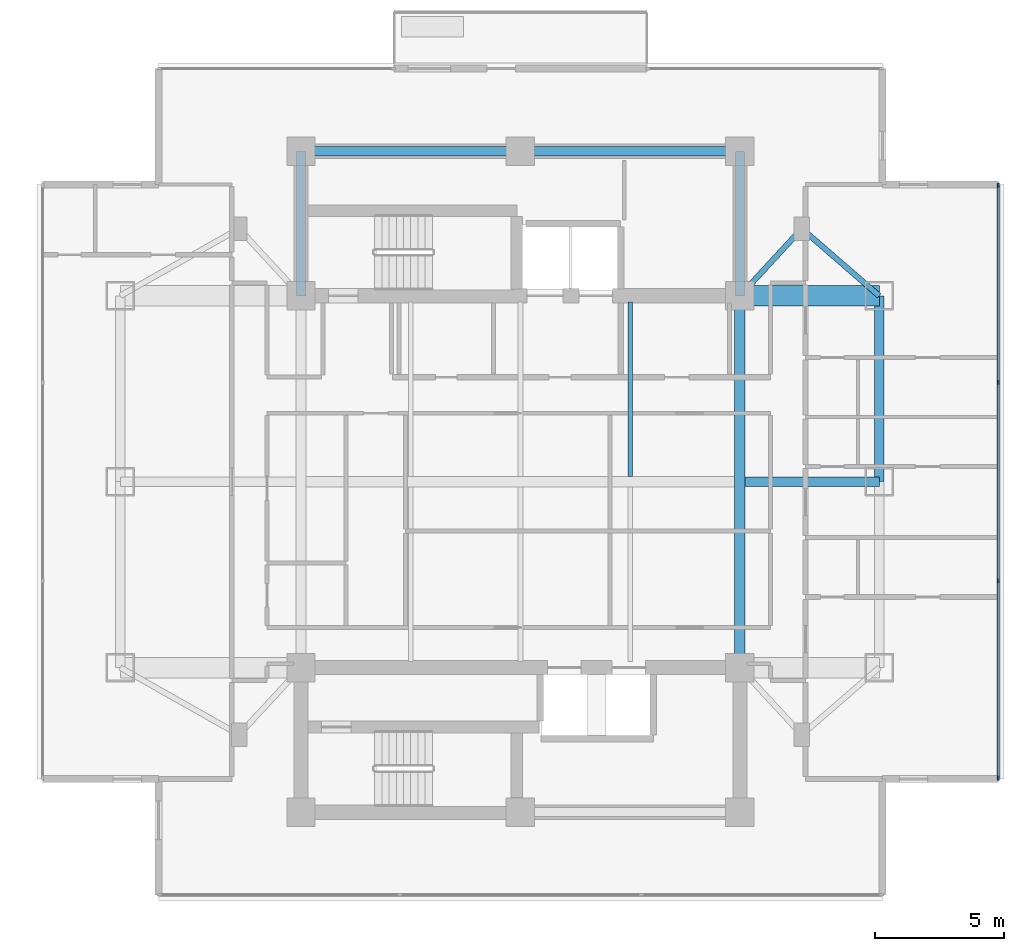
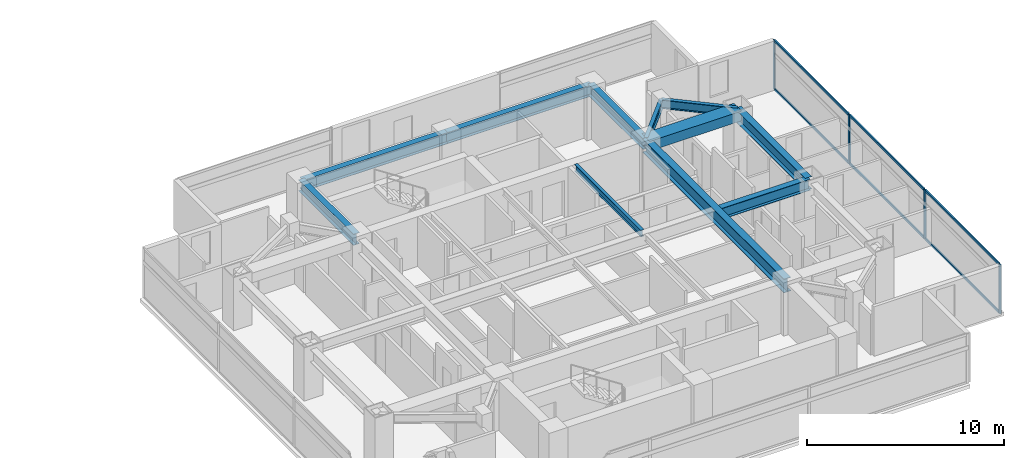
# One storey, part 10 of 24: 11 beams, 10 members, 1 element without a shape of its own.
"""IFC4 building model written with IfcOpenShell, lengths in metres."""

from ifc_helpers import new_model, si_unit, direction, frame, origin, origin_2d, place, context, subcontext, project, spatial, rectangle, i_section, extrude, material, material_profile, profile_set, type_object, element, aggregate, save


model = new_model("IFC4")

# Units and contexts
model_context = context("Model", 3, precision=1e-05, world=origin(), true_north=direction((0.0, 1.0)))
body_context = subcontext(model_context, "Body", "Model", "MODEL_VIEW")
ifc_project = project(units=[si_unit("LENGTHUNIT", "METRE"), si_unit("AREAUNIT", "SQUARE_METRE"), si_unit("VOLUMEUNIT", "CUBIC_METRE"), si_unit("PLANEANGLEUNIT", "RADIAN"), si_unit("MASSUNIT", "GRAM", prefix="KILO")], contexts=[model_context])

# Site, building, storey
site_placement = place(None, origin())
site = spatial("IfcSite", under=ifc_project, at=site_placement, CompositionType="ELEMENT")
building_placement = place(site_placement, origin())
building = spatial("IfcBuilding", under=site, at=building_placement, Name="Mirazonda Arch Towers", CompositionType="ELEMENT")
storey_placement = place(building_placement, frame((0.0, 0.0, 141.199951171875)))
storey = spatial("IfcBuildingStorey", under=building, at=storey_placement, Name="L40", CompositionType="ELEMENT", Elevation=141.199951171875)

# Beams
ifc_material_1 = material(Name="Steel ASTM A992 Grade 50", Category="steel")
ifc_material_profile_1 = material_profile(ifc_material_1, i_section(OverallWidth=0.381103515625, OverallDepth=0.77294921875, WebThickness=0.0166015625, FlangeThickness=0.027099609375, at=origin_2d()), Name="W30X173")
ifc_profile_set_1 = profile_set([ifc_material_profile_1], Name="Steel ASTM A992 Grade 50")
beam_type_1 = type_object("IfcBeamType", Name="BM-EXT-W30X173", PredefinedType="USERDEFINED", material=ifc_profile_set_1)
beam_1_placement = place(storey_placement, frame((90.39990234375, 28.0, 2.693603515625), z_axis=(0.0, 1.0, 0.0), x_axis=(-1.0, 0.0, 0.0)))
element("IfcBeam", 1, at=beam_1_placement, inside=storey, type_object=beam_type_1, Name="L40 Floor Beam BM-T2-L40-NS-E-28", ObjectType="GIRDER", PredefinedType="USERDEFINED", context=body_context, shape_type="SweptSolid", body=[
    extrude(i_section(OverallWidth=0.381103515625, OverallDepth=0.77294921875, WebThickness=0.0166015625, FlangeThickness=0.027099609375, at=origin_2d()), origin(), (0.0, 0.0, 1.0), 7.199951171875),
])
ifc_material_profile_2 = material_profile(ifc_material_1, i_section(OverallWidth=0.180908203125, OverallDepth=0.4169921875, WebThickness=0.010986328125, FlangeThickness=0.018310546875, at=origin_2d()), Name="W16X57")
ifc_profile_set_2 = profile_set([ifc_material_profile_2], Name="Steel ASTM A992 Grade 50")
beam_type_2 = type_object("IfcBeamType", Name="BM-INT-W16X57", PredefinedType="JOIST", material=ifc_profile_set_2)
beam_2_placement = place(storey_placement, frame((80.75, 28.196044921875, 2.87158203125), z_axis=(0.0, 1.0, 0.0), x_axis=(-1.0, 0.0, 0.0)))
element("IfcBeam", 2, at=beam_2_placement, inside=storey, type_object=beam_type_2, Name="L40 Floor Beam BM-T2-L40-J-807-28", PredefinedType="JOIST", context=body_context, shape_type="SweptSolid", body=[
    extrude(i_section(OverallWidth=0.180908203125, OverallDepth=0.4169921875, WebThickness=0.010986328125, FlangeThickness=0.018310546875, at=origin_2d()), origin(), (0.0, 0.0, 1.0), 6.763916015625),
])
ifc_material_profile_3 = material_profile(ifc_material_1, i_section(OverallWidth=0.214111328125, OverallDepth=0.549072265625, WebThickness=0.0146484375, FlangeThickness=0.023681640625, at=origin_2d()), Name="W21X93")
ifc_profile_set_3 = profile_set([ifc_material_profile_3], Name="Steel ASTM A992 Grade 50")
beam_type_3 = type_object("IfcBeamType", Name="BM-INT-W21X93", PredefinedType="BEAM", material=ifc_profile_set_3)
beam_3_placement = place(storey_placement, frame((87.39990234375, 37.800048828125, 2.8056640625), z_axis=(-0.678251444854, -0.734829897019, 0.0), x_axis=(0.734829897019, -0.678251444854, 0.0)))
element("IfcBeam", 3, at=beam_3_placement, inside=storey, type_object=beam_type_3, Name="L40 Floor Beam BM-T2-L40-PL-NE1", PredefinedType="BEAM", context=body_context, shape_type="SweptSolid", body=[
    extrude(i_section(OverallWidth=0.214111328125, OverallDepth=0.549072265625, WebThickness=0.0146484375, FlangeThickness=0.023681640625, at=origin_2d()), origin(), (0.0, 0.0, 1.0), 3.538330078125),
])
beam_4_placement = place(storey_placement, frame((87.39990234375, 37.800048828125, 2.8056640625), z_axis=(0.755676908098, -0.654944585876, 0.0), x_axis=(0.654944585876, 0.755676908098, 0.0)))
element("IfcBeam", 4, at=beam_4_placement, inside=storey, type_object=beam_type_3, Name="L40 Floor Beam BM-T2-L40-PL-NE2", PredefinedType="BEAM", context=body_context, shape_type="SweptSolid", body=[
    extrude(i_section(OverallWidth=0.214111328125, OverallDepth=0.549072265625, WebThickness=0.0146484375, FlangeThickness=0.023681640625, at=origin_2d()), origin(), (0.0, 0.0, 1.0), 3.969970703125),
])
ifc_material_profile_4 = material_profile(ifc_material_1, i_section(OverallWidth=0.35498046875, OverallDepth=0.696044921875, WebThickness=0.015380859375, FlangeThickness=0.02490234375, at=origin_2d()), Name="W27X146")
ifc_profile_set_4 = profile_set([ifc_material_profile_4], Name="Steel ASTM A992 Grade 50")
beam_type_4 = type_object("IfcBeamType", Name="BM-INT-W27X146", PredefinedType="BEAM", material=ifc_profile_set_4)
for number, where, z_axis, x_axis, name in (
    (5, (68.0, 40.800048828125, 2.73193359375), (1.0, 0.0, 0.0), (0.0, 1.0, 0.0), "L40 Floor Beam BM-T2-L40-CN1"),
    (6, (76.5, 40.800048828125, 2.73193359375), (1.0, 0.0, 0.0), (0.0, 1.0, 0.0), "L40 Floor Beam BM-T2-L40-CN2"),
):
    element("IfcBeam", number, at=place(storey_placement, frame(where, z_axis=z_axis, x_axis=x_axis)), inside=storey, type_object=beam_type_4, Name=name, PredefinedType="BEAM", context=body_context, shape_type="SweptSolid", body=[
        extrude(i_section(OverallWidth=0.35498046875, OverallDepth=0.696044921875, WebThickness=0.015380859375, FlangeThickness=0.02490234375, at=origin_2d()), origin(), (0.0, 0.0, 1.0), 8.5),
    ])
for number, where, z_axis, x_axis, name in (
    (7, (68.0, 35.199951171875, 2.73193359375), (0.0, 1.0, 0.0), (-1.0, 0.0, 0.0), "L40 Floor Beam BM-T2-L40-CNW"),
    (8, (85.0, 35.199951171875, 2.73193359375), (0.0, 1.0, 0.0), (-1.0, 0.0, 0.0), "L40 Floor Beam BM-T2-L40-CNE"),
):
    element("IfcBeam", number, at=place(storey_placement, frame(where, z_axis=z_axis, x_axis=x_axis)), inside=storey, type_object=beam_type_4, Name=name, PredefinedType="BEAM", context=body_context, shape_type="SweptSolid", body=[
        extrude(i_section(OverallWidth=0.35498046875, OverallDepth=0.696044921875, WebThickness=0.015380859375, FlangeThickness=0.02490234375, at=origin_2d()), origin(), (0.0, 0.0, 1.0), 5.60009765625),
    ])
beam_5_placement = place(storey_placement, frame((85.199951171875, 28.0, 2.73193359375), z_axis=(1.0, 0.0, 0.0), x_axis=(0.0, 1.0, 0.0)))
element("IfcBeam", 9, at=beam_5_placement, inside=storey, type_object=beam_type_4, Name="L40 Floor Beam BM-T2-L40-GE2", PredefinedType="BEAM", context=body_context, shape_type="SweptSolid", body=[
    extrude(i_section(OverallWidth=0.35498046875, OverallDepth=0.696044921875, WebThickness=0.015380859375, FlangeThickness=0.02490234375, at=origin_2d()), origin(), (0.0, 0.0, 1.0), 5.199951171875),
])
ifc_material_profile_5 = material_profile(ifc_material_1, i_section(OverallWidth=0.39990234375, OverallDepth=0.85595703125, WebThickness=0.018310546875, FlangeThickness=0.029296875, at=origin_2d()), Name="W33X201")
ifc_profile_set_5 = profile_set([ifc_material_profile_5], Name="Steel ASTM A992 Grade 50")
beam_type_5 = type_object("IfcBeamType", Name="BM-INT-W33X201", PredefinedType="USERDEFINED", material=ifc_profile_set_5)
beam_6_placement = place(storey_placement, frame((85.0, 20.800048828125, 2.652099609375), z_axis=(0.0, 1.0, 0.0), x_axis=(-1.0, 0.0, 0.0)))
element("IfcBeam", 10, at=beam_6_placement, inside=storey, type_object=beam_type_5, Name="L40 Floor Beam BM-T2-L40-NS-CE-FULL", ObjectType="GIRDER", PredefinedType="USERDEFINED", context=body_context, shape_type="SweptSolid", body=[
    extrude(i_section(OverallWidth=0.39990234375, OverallDepth=0.85595703125, WebThickness=0.018310546875, FlangeThickness=0.029296875, at=origin_2d()), origin(), (0.0, 0.0, 1.0), 14.39990234375),
])
ifc_material_2 = material(Name="Concrete C60/75", Category="concrete")
ifc_material_profile_6 = material_profile(ifc_material_2, rectangle(XDim=0.800048828125, YDim=0.60009765625, at=origin_2d()), Name="RCCB800x600")
ifc_profile_set_6 = profile_set([ifc_material_profile_6], Name="Concrete C60/75")
beam_type_6 = type_object("IfcBeamType", Name="CB-INT-RCCB800x600", PredefinedType="SPANDREL", material=ifc_profile_set_6)
beam_7_placement = place(storey_placement, frame((85.0, 35.199951171875, 2.780029296875), z_axis=(1.0, 0.0, 0.0), x_axis=(0.0, 1.0, 0.0)))
element("IfcBeam", 11, at=beam_7_placement, inside=storey, type_object=beam_type_6, Name="L40 Floor Beam CBC-T2-L40-NE", PredefinedType="SPANDREL", context=body_context, shape_type="SweptSolid", body=[
    extrude(rectangle(XDim=0.800048828125, YDim=0.60009765625, at=origin_2d()), origin(), (0.0, 0.0, 1.0), 5.39990234375),
])

# Curtain wall, members
ifc_material_3 = material(Name="Anodised Aluminium and Low-E Glass", Category="aluminium")
curtain_wall_type = type_object("IfcCurtainWallType", Name="CW-HTL-UNIT", PredefinedType="NOTDEFINED", material=ifc_material_3)
curtain_wall_placement = place(storey_placement, origin())
curtain_wall = element("IfcCurtainWall", 12, at=curtain_wall_placement, inside=storey, type_object=curtain_wall_type, Name="L40 T2 E Facade CW-L40-T2-E", PredefinedType="NOTDEFINED")
ifc_material_4 = material(Name="Anodised Aluminium Alloy", Category="aluminium")
ifc_material_profile_7 = material_profile(ifc_material_4, rectangle(XDim=0.074951171875, YDim=0.1650390625, at=origin_2d()), Name="ALU-MULL-75x165")
ifc_profile_set_7 = profile_set([ifc_material_profile_7], Name="Anodised Aluminium Alloy")
member_type_1 = type_object("IfcMemberType", Name="MULL-CW-HTL-UNIT", PredefinedType="MULLION", material=ifc_profile_set_7)
member_1_placement = place(storey_placement, frame((95.010986328125, 16.52197265625, 0.0), z_axis=(0.0, 0.0, 1.0), x_axis=(-1.0, 0.0, 0.0)))
member_1 = element("IfcMember", 13, at=member_1_placement, type_object=member_type_1, Name="CW-112 mullion 1", PredefinedType="MULLION", context=body_context, shape_type="SweptSolid", body=[
    extrude(rectangle(XDim=0.074951171875, YDim=0.1650390625, at=origin_2d()), origin(), (0.0, 0.0, 1.0), 3.06005859375),
])
member_2_placement = place(storey_placement, frame((95.010986328125, 24.161376953125, 0.0), z_axis=(0.0, 0.0, 1.0), x_axis=(-1.0, 0.0, 0.0)))
member_2 = element("IfcMember", 14, at=member_2_placement, type_object=member_type_1, Name="CW-112 mullion 2", PredefinedType="MULLION", context=body_context, shape_type="SweptSolid", body=[
    extrude(rectangle(XDim=0.074951171875, YDim=0.1650390625, at=origin_2d()), origin(), (0.0, 0.0, 1.0), 3.06005859375),
])
member_3_placement = place(storey_placement, frame((95.010986328125, 31.838623046875, 0.0), z_axis=(0.0, 0.0, 1.0), x_axis=(-1.0, 0.0, 0.0)))
member_3 = element("IfcMember", 15, at=member_3_placement, type_object=member_type_1, Name="CW-112 mullion 3", PredefinedType="MULLION", context=body_context, shape_type="SweptSolid", body=[
    extrude(rectangle(XDim=0.074951171875, YDim=0.1650390625, at=origin_2d()), origin(), (0.0, 0.0, 1.0), 3.06005859375),
])
member_4_placement = place(storey_placement, frame((95.010986328125, 39.47802734375, 0.0), z_axis=(0.0, 0.0, 1.0), x_axis=(-1.0, 0.0, 0.0)))
member_4 = element("IfcMember", 16, at=member_4_placement, type_object=member_type_1, Name="CW-112 mullion 4", PredefinedType="MULLION", context=body_context, shape_type="SweptSolid", body=[
    extrude(rectangle(XDim=0.074951171875, YDim=0.1650390625, at=origin_2d()), origin(), (0.0, 0.0, 1.0), 3.06005859375),
])
ifc_material_profile_8 = material_profile(ifc_material_4, rectangle(XDim=0.074951171875, YDim=0.14501953125, at=origin_2d()), Name="ALU-TRAN-75x145")
ifc_profile_set_8 = profile_set([ifc_material_profile_8], Name="Anodised Aluminium Alloy")
member_type_2 = type_object("IfcMemberType", Name="TRAN-CW-HTL-UNIT", PredefinedType="USERDEFINED", material=ifc_profile_set_8)
member_5_placement = place(storey_placement, frame((95.010986328125, 16.559326171875, 0.03759765625), z_axis=(0.0, 1.0, 0.0), x_axis=(-1.0, 0.0, 0.0)))
member_5 = element("IfcMember", 17, at=member_5_placement, type_object=member_type_2, Name="CW-112 transom 1.1", ObjectType="TRANSOM", PredefinedType="USERDEFINED", context=body_context, shape_type="SweptSolid", body=[
    extrude(rectangle(XDim=0.074951171875, YDim=0.14501953125, at=origin_2d()), origin(), (0.0, 0.0, 1.0), 7.564697265625),
])
member_6_placement = place(storey_placement, frame((95.010986328125, 16.559326171875, 3.0224609375), z_axis=(0.0, 1.0, 0.0), x_axis=(-1.0, 0.0, 0.0)))
member_6 = element("IfcMember", 18, at=member_6_placement, type_object=member_type_2, Name="CW-112 transom 1.2", ObjectType="TRANSOM", PredefinedType="USERDEFINED", context=body_context, shape_type="SweptSolid", body=[
    extrude(rectangle(XDim=0.074951171875, YDim=0.14501953125, at=origin_2d()), origin(), (0.0, 0.0, 1.0), 7.564697265625),
])
member_7_placement = place(storey_placement, frame((95.010986328125, 24.198974609375, 0.03759765625), z_axis=(0.0, 1.0, 0.0), x_axis=(-1.0, 0.0, 0.0)))
member_7 = element("IfcMember", 19, at=member_7_placement, type_object=member_type_2, Name="CW-112 transom 2.1", ObjectType="TRANSOM", PredefinedType="USERDEFINED", context=body_context, shape_type="SweptSolid", body=[
    extrude(rectangle(XDim=0.074951171875, YDim=0.14501953125, at=origin_2d()), origin(), (0.0, 0.0, 1.0), 7.60205078125),
])
member_8_placement = place(storey_placement, frame((95.010986328125, 24.198974609375, 3.0224609375), z_axis=(0.0, 1.0, 0.0), x_axis=(-1.0, 0.0, 0.0)))
member_8 = element("IfcMember", 20, at=member_8_placement, type_object=member_type_2, Name="CW-112 transom 2.2", ObjectType="TRANSOM", PredefinedType="USERDEFINED", context=body_context, shape_type="SweptSolid", body=[
    extrude(rectangle(XDim=0.074951171875, YDim=0.14501953125, at=origin_2d()), origin(), (0.0, 0.0, 1.0), 7.60205078125),
])
member_9_placement = place(storey_placement, frame((95.010986328125, 31.8759765625, 0.03759765625), z_axis=(0.0, 1.0, 0.0), x_axis=(-1.0, 0.0, 0.0)))
member_9 = element("IfcMember", 21, at=member_9_placement, type_object=member_type_2, Name="CW-112 transom 3.1", ObjectType="TRANSOM", PredefinedType="USERDEFINED", context=body_context, shape_type="SweptSolid", body=[
    extrude(rectangle(XDim=0.074951171875, YDim=0.14501953125, at=origin_2d()), origin(), (0.0, 0.0, 1.0), 7.564697265625),
])
member_10_placement = place(storey_placement, frame((95.010986328125, 31.8759765625, 3.0224609375), z_axis=(0.0, 1.0, 0.0), x_axis=(-1.0, 0.0, 0.0)))
member_10 = element("IfcMember", 22, at=member_10_placement, type_object=member_type_2, Name="CW-112 transom 3.2", ObjectType="TRANSOM", PredefinedType="USERDEFINED", context=body_context, shape_type="SweptSolid", body=[
    extrude(rectangle(XDim=0.074951171875, YDim=0.14501953125, at=origin_2d()), origin(), (0.0, 0.0, 1.0), 7.564697265625),
])
aggregate(curtain_wall, [member_1, member_2, member_3, member_4, member_5, member_6, member_7, member_8, member_9, member_10])

save(model, "model.ifc")
